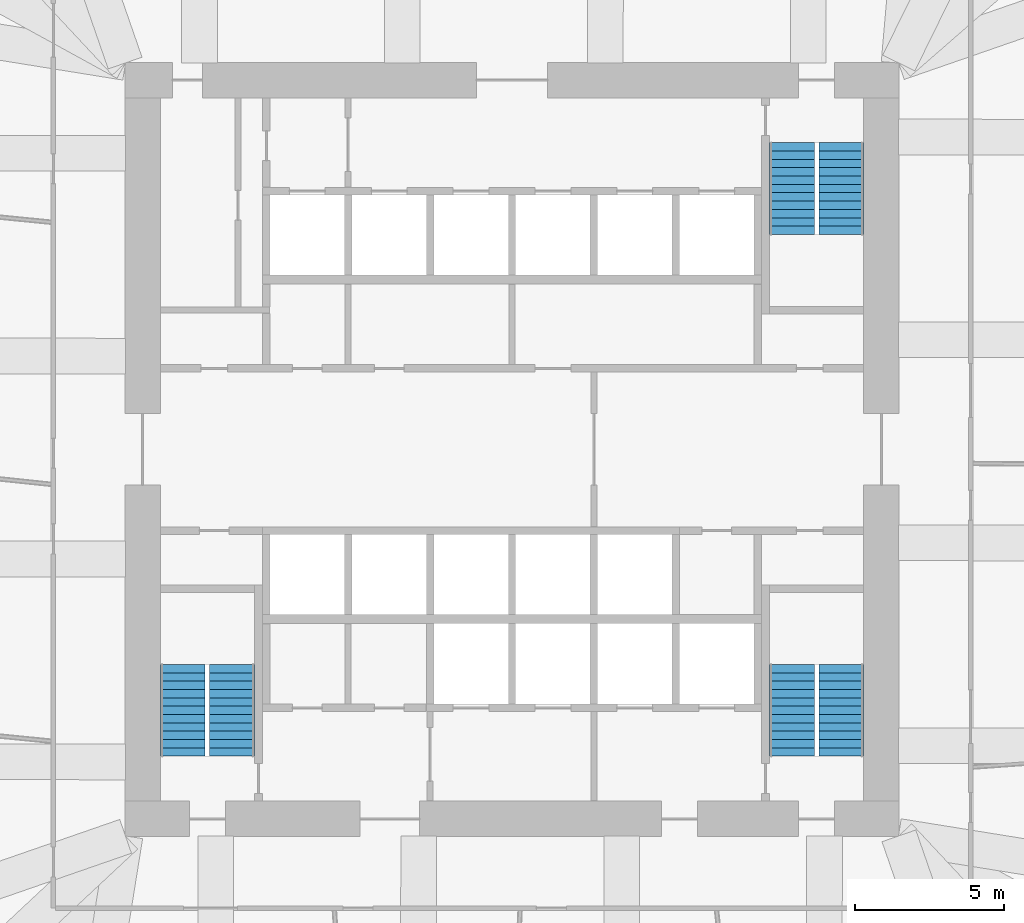
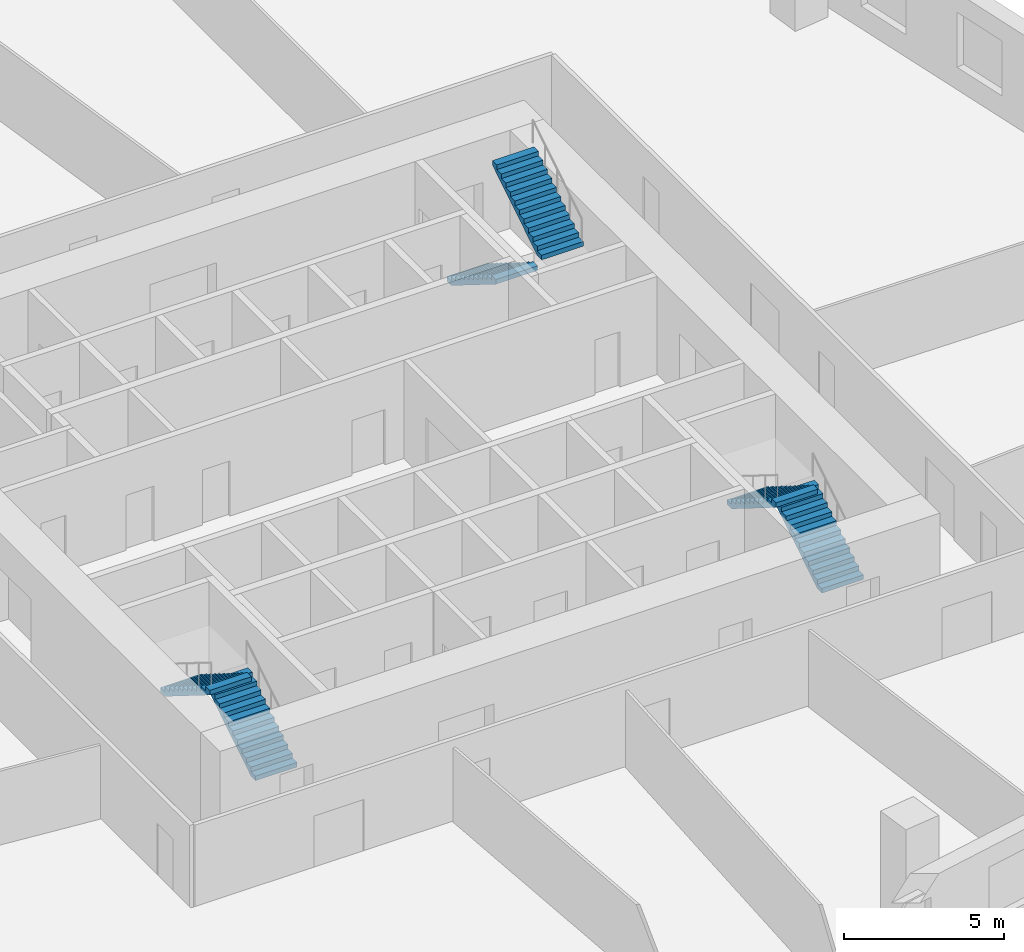
# One storey, part 8 of 10: 6 stair flights, 3 elements without a shape of their own.
"""IFC4 building model written with IfcOpenShell, lengths in metres."""

from ifc_helpers import new_model, si_unit, direction, frame, origin, place, context, subcontext, project, spatial, polyline, outline, extrude, material, type_object, element, aggregate, save


model = new_model("IFC4")

# Units and contexts
model_context = context("Model", 3, precision=1e-05, world=origin(), true_north=direction((0.0, 1.0)))
body_context = subcontext(model_context, "Body", "Model", "MODEL_VIEW")
ifc_project = project(units=[si_unit("LENGTHUNIT", "METRE"), si_unit("AREAUNIT", "SQUARE_METRE"), si_unit("VOLUMEUNIT", "CUBIC_METRE"), si_unit("PLANEANGLEUNIT", "RADIAN"), si_unit("MASSUNIT", "GRAM", prefix="KILO")], contexts=[model_context])

# Site, building, storey
site_placement = place(None, origin())
site = spatial("IfcSite", under=ifc_project, at=site_placement, CompositionType="ELEMENT")
building_placement = place(site_placement, origin())
building = spatial("IfcBuilding", under=site, at=building_placement, Name="Dilmun Exchange Tower", CompositionType="ELEMENT")
storey_placement = place(building_placement, frame((0.0, 0.0, 68.10009765625)))
storey = spatial("IfcBuildingStorey", under=building, at=storey_placement, Name="L15", CompositionType="ELEMENT", Elevation=68.10009765625)

# Stair, stair flights
ifc_material = material(Name="Concrete C40/50", Category="concrete")
stair_type = type_object("IfcStairType", Name="Exit stair 1500 half-turn", PredefinedType="HALF_TURN_STAIR", material=ifc_material)
stair_1_placement = place(storey_placement, origin())
stair_1 = element("IfcStair", 1, at=stair_1_placement, inside=storey, type_object=stair_type, Name="L15 Protected exit stair ST1", PredefinedType="HALF_TURN_STAIR")
stair_flight_type = type_object("IfcStairFlightType", Name="Exit stair flight 1500", PredefinedType="STRAIGHT", material=ifc_material)
stair_flight_1_placement = place(storey_placement, frame((9.39990234375, 10.300048828125, 0.0), z_axis=(0.0, 0.0, 1.0), x_axis=(0.0, -1.0, 0.0)))
stair_flight_1 = element("IfcStairFlight", 2, at=stair_flight_1_placement, type_object=stair_flight_type, Name="ST1 flight 1", NumberOfRisers=12, NumberOfTreads=11, PredefinedType="STRAIGHT", RiserHeight=0.175, TreadLength=0.28, context=body_context, shape_type="SweptSolid", body=[
    extrude(outline(polyline([(0.0, 0.0), (0.0, 0.175048828125), (0.280029296875, 0.175048828125), (0.280029296875, 0.35009765625), (0.56005859375, 0.35009765625), (0.56005859375, 0.52490234375), (0.840087890625, 0.52490234375), (0.840087890625, 0.699951171875), (1.1201171875, 0.699951171875), (1.1201171875, 0.875), (1.39990234375, 0.875), (1.39990234375, 1.050048828125), (1.679931640625, 1.050048828125), (1.679931640625, 1.22509765625), (1.9599609375, 1.22509765625), (1.9599609375, 1.39990234375), (2.239990234375, 1.39990234375), (2.239990234375, 1.574951171875), (2.52001953125, 1.574951171875), (2.52001953125, 1.75), (2.800048828125, 1.75), (2.800048828125, 1.925048828125), (3.080078125, 1.925048828125), (3.080078125, 2.10009765625), (3.080078125, 1.748291015625), (0.28271484375, 0.0), (0.0, 0.0)])), frame((0.0, 0.75, 0.0), z_axis=(0.0, -1.0, 0.0), x_axis=(1.0, 0.0, 0.0)), (0.0, 0.0, 1.0), 1.5),
])
stair_flight_2_placement = place(storey_placement, frame((11.050048828125, 7.219970703125, 2.099853515625), z_axis=(0.0, 0.0, 1.0), x_axis=(0.0, 1.0, 0.0)))
stair_flight_2 = element("IfcStairFlight", 3, at=stair_flight_2_placement, type_object=stair_flight_type, Name="ST1 flight 2", NumberOfRisers=12, NumberOfTreads=11, PredefinedType="STRAIGHT", RiserHeight=0.175, TreadLength=0.28, context=body_context, shape_type="SweptSolid", body=[
    extrude(outline(polyline([(0.0, 0.0), (0.0, 0.175048828125), (0.280029296875, 0.175048828125), (0.280029296875, 0.35009765625), (0.56005859375, 0.35009765625), (0.56005859375, 0.52490234375), (0.840087890625, 0.52490234375), (0.840087890625, 0.699951171875), (1.1201171875, 0.699951171875), (1.1201171875, 0.875), (1.39990234375, 0.875), (1.39990234375, 1.050048828125), (1.679931640625, 1.050048828125), (1.679931640625, 1.22509765625), (1.9599609375, 1.22509765625), (1.9599609375, 1.39990234375), (2.239990234375, 1.39990234375), (2.239990234375, 1.574951171875), (2.52001953125, 1.574951171875), (2.52001953125, 1.75), (2.800048828125, 1.75), (2.800048828125, 1.925048828125), (3.080078125, 1.925048828125), (3.080078125, 2.10009765625), (3.080078125, 1.748291015625), (0.28271484375, 0.0), (0.0, 0.0)])), frame((0.0, 0.75, 0.0), z_axis=(0.0, -1.0, 0.0), x_axis=(1.0, 0.0, 0.0)), (0.0, 0.0, 1.0), 1.5),
])
aggregate(stair_1, [stair_flight_1, stair_flight_2])

stair_2_placement = place(storey_placement, origin())
stair_2 = element("IfcStair", 4, at=stair_2_placement, inside=storey, type_object=stair_type, Name="L15 Protected exit stair ST2", PredefinedType="HALF_TURN_STAIR")
stair_flight_3_placement = place(storey_placement, frame((-9.39990234375, -10.300048828125, 0.0), z_axis=(0.0, 0.0, 1.0), x_axis=(0.0, 1.0, 0.0)))
stair_flight_3 = element("IfcStairFlight", 5, at=stair_flight_3_placement, type_object=stair_flight_type, Name="ST2 flight 1", NumberOfRisers=12, NumberOfTreads=11, PredefinedType="STRAIGHT", RiserHeight=0.175, TreadLength=0.28, context=body_context, shape_type="SweptSolid", body=[
    extrude(outline(polyline([(0.0, 0.0), (0.0, 0.175048828125), (0.280029296875, 0.175048828125), (0.280029296875, 0.35009765625), (0.56005859375, 0.35009765625), (0.56005859375, 0.52490234375), (0.840087890625, 0.52490234375), (0.840087890625, 0.699951171875), (1.1201171875, 0.699951171875), (1.1201171875, 0.875), (1.39990234375, 0.875), (1.39990234375, 1.050048828125), (1.679931640625, 1.050048828125), (1.679931640625, 1.22509765625), (1.9599609375, 1.22509765625), (1.9599609375, 1.39990234375), (2.239990234375, 1.39990234375), (2.239990234375, 1.574951171875), (2.52001953125, 1.574951171875), (2.52001953125, 1.75), (2.800048828125, 1.75), (2.800048828125, 1.925048828125), (3.080078125, 1.925048828125), (3.080078125, 2.10009765625), (3.080078125, 1.748291015625), (0.28271484375, 0.0), (0.0, 0.0)])), frame((0.0, 0.75, 0.0), z_axis=(0.0, -1.0, 0.0), x_axis=(1.0, 0.0, 0.0)), (0.0, 0.0, 1.0), 1.5),
])
stair_flight_4_placement = place(storey_placement, frame((-11.050048828125, -7.219970703125, 2.099853515625), z_axis=(0.0, 0.0, 1.0), x_axis=(0.0, -1.0, 0.0)))
stair_flight_4 = element("IfcStairFlight", 6, at=stair_flight_4_placement, type_object=stair_flight_type, Name="ST2 flight 2", NumberOfRisers=12, NumberOfTreads=11, PredefinedType="STRAIGHT", RiserHeight=0.175, TreadLength=0.28, context=body_context, shape_type="SweptSolid", body=[
    extrude(outline(polyline([(0.0, 0.0), (0.0, 0.175048828125), (0.280029296875, 0.175048828125), (0.280029296875, 0.35009765625), (0.56005859375, 0.35009765625), (0.56005859375, 0.52490234375), (0.840087890625, 0.52490234375), (0.840087890625, 0.699951171875), (1.1201171875, 0.699951171875), (1.1201171875, 0.875), (1.39990234375, 0.875), (1.39990234375, 1.050048828125), (1.679931640625, 1.050048828125), (1.679931640625, 1.22509765625), (1.9599609375, 1.22509765625), (1.9599609375, 1.39990234375), (2.239990234375, 1.39990234375), (2.239990234375, 1.574951171875), (2.52001953125, 1.574951171875), (2.52001953125, 1.75), (2.800048828125, 1.75), (2.800048828125, 1.925048828125), (3.080078125, 1.925048828125), (3.080078125, 2.10009765625), (3.080078125, 1.748291015625), (0.28271484375, 0.0), (0.0, 0.0)])), frame((0.0, 0.75, 0.0), z_axis=(0.0, -1.0, 0.0), x_axis=(1.0, 0.0, 0.0)), (0.0, 0.0, 1.0), 1.5),
])
aggregate(stair_2, [stair_flight_3, stair_flight_4])

stair_3_placement = place(storey_placement, origin())
stair_3 = element("IfcStair", 7, at=stair_3_placement, inside=storey, type_object=stair_type, Name="L15 Protected exit stair ST3", PredefinedType="HALF_TURN_STAIR")
stair_flight_5_placement = place(storey_placement, frame((11.050048828125, -10.300048828125, 0.0), z_axis=(0.0, 0.0, 1.0), x_axis=(0.0, 1.0, 0.0)))
stair_flight_5 = element("IfcStairFlight", 8, at=stair_flight_5_placement, type_object=stair_flight_type, Name="ST3 flight 1", NumberOfRisers=12, NumberOfTreads=11, PredefinedType="STRAIGHT", RiserHeight=0.175, TreadLength=0.28, context=body_context, shape_type="SweptSolid", body=[
    extrude(outline(polyline([(0.0, 0.0), (0.0, 0.175048828125), (0.280029296875, 0.175048828125), (0.280029296875, 0.35009765625), (0.56005859375, 0.35009765625), (0.56005859375, 0.52490234375), (0.840087890625, 0.52490234375), (0.840087890625, 0.699951171875), (1.1201171875, 0.699951171875), (1.1201171875, 0.875), (1.39990234375, 0.875), (1.39990234375, 1.050048828125), (1.679931640625, 1.050048828125), (1.679931640625, 1.22509765625), (1.9599609375, 1.22509765625), (1.9599609375, 1.39990234375), (2.239990234375, 1.39990234375), (2.239990234375, 1.574951171875), (2.52001953125, 1.574951171875), (2.52001953125, 1.75), (2.800048828125, 1.75), (2.800048828125, 1.925048828125), (3.080078125, 1.925048828125), (3.080078125, 2.10009765625), (3.080078125, 1.748291015625), (0.28271484375, 0.0), (0.0, 0.0)])), frame((0.0, 0.75, 0.0), z_axis=(0.0, -1.0, 0.0), x_axis=(1.0, 0.0, 0.0)), (0.0, 0.0, 1.0), 1.5),
])
stair_flight_6_placement = place(storey_placement, frame((9.39990234375, -7.219970703125, 2.099853515625), z_axis=(0.0, 0.0, 1.0), x_axis=(0.0, -1.0, 0.0)))
stair_flight_6 = element("IfcStairFlight", 9, at=stair_flight_6_placement, type_object=stair_flight_type, Name="ST3 flight 2", NumberOfRisers=12, NumberOfTreads=11, PredefinedType="STRAIGHT", RiserHeight=0.175, TreadLength=0.28, context=body_context, shape_type="SweptSolid", body=[
    extrude(outline(polyline([(0.0, 0.0), (0.0, 0.175048828125), (0.280029296875, 0.175048828125), (0.280029296875, 0.35009765625), (0.56005859375, 0.35009765625), (0.56005859375, 0.52490234375), (0.840087890625, 0.52490234375), (0.840087890625, 0.699951171875), (1.1201171875, 0.699951171875), (1.1201171875, 0.875), (1.39990234375, 0.875), (1.39990234375, 1.050048828125), (1.679931640625, 1.050048828125), (1.679931640625, 1.22509765625), (1.9599609375, 1.22509765625), (1.9599609375, 1.39990234375), (2.239990234375, 1.39990234375), (2.239990234375, 1.574951171875), (2.52001953125, 1.574951171875), (2.52001953125, 1.75), (2.800048828125, 1.75), (2.800048828125, 1.925048828125), (3.080078125, 1.925048828125), (3.080078125, 2.10009765625), (3.080078125, 1.748291015625), (0.28271484375, 0.0), (0.0, 0.0)])), frame((0.0, 0.75, 0.0), z_axis=(0.0, -1.0, 0.0), x_axis=(1.0, 0.0, 0.0)), (0.0, 0.0, 1.0), 1.5),
])
aggregate(stair_3, [stair_flight_5, stair_flight_6])

save(model, "model.ifc")
